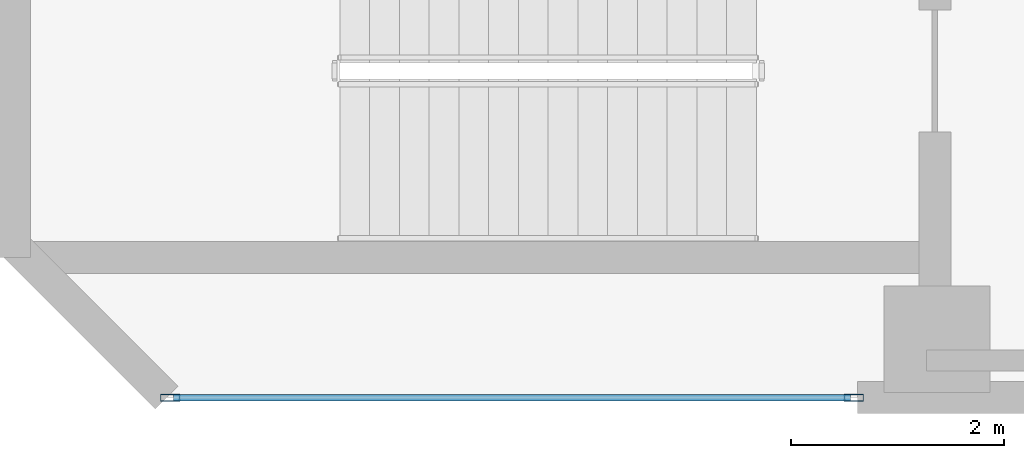
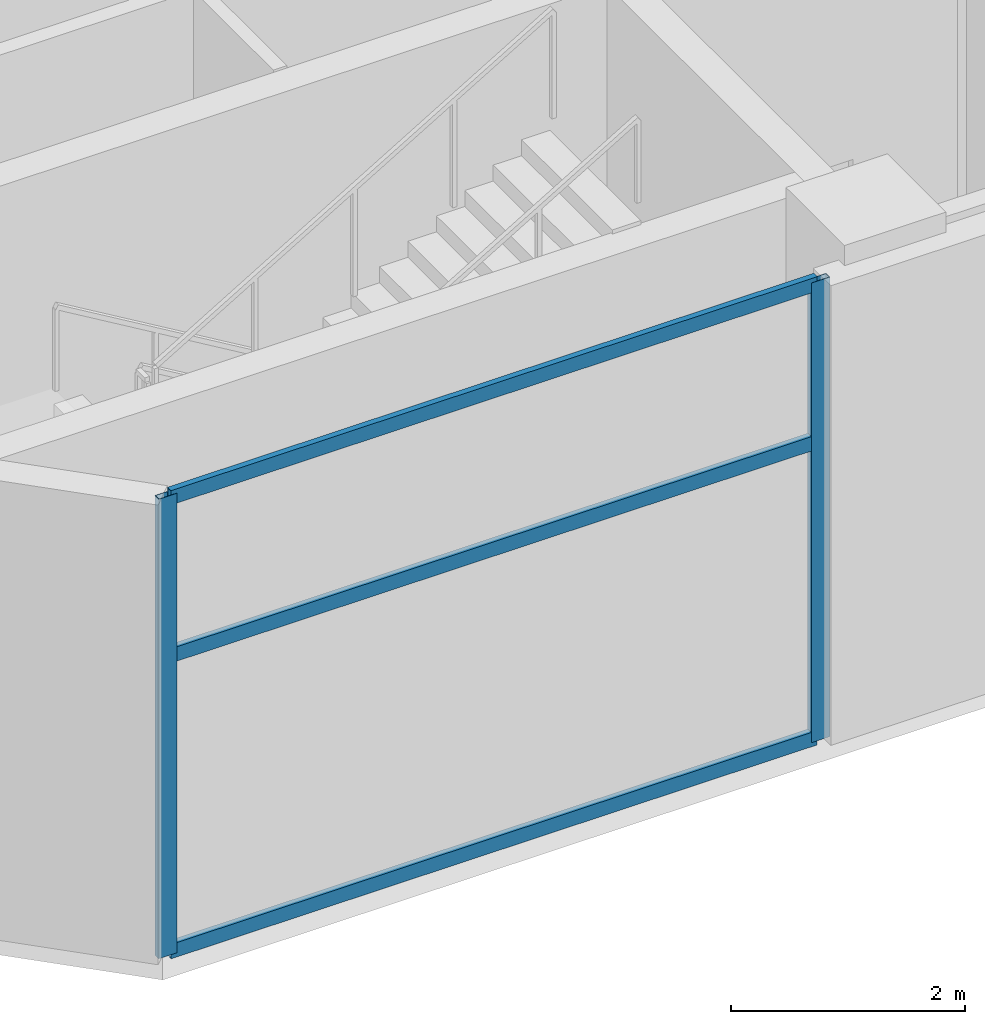
# One storey, part 2 of 16: 5 members, 1 element without a shape of its own.
"""IFC4 building model written with IfcOpenShell, lengths in metres."""

from ifc_helpers import new_model, si_unit, direction, frame, origin, origin_2d, place, context, subcontext, project, spatial, hollow_rectangle, extrude, material, layer, layer_set, material_profile, profile_set, type_object, element, aggregate, save


model = new_model("IFC4")

# Units and contexts
model_context = context("Model", 3, precision=1e-05, world=origin(), true_north=direction((0.0, 1.0)))
body_context = subcontext(model_context, "Body", "Model", "MODEL_VIEW")
ifc_project = project(units=[si_unit("LENGTHUNIT", "METRE"), si_unit("AREAUNIT", "SQUARE_METRE"), si_unit("VOLUMEUNIT", "CUBIC_METRE"), si_unit("PLANEANGLEUNIT", "RADIAN"), si_unit("MASSUNIT", "GRAM", prefix="KILO")], contexts=[model_context])

# Site, building, storey
site_placement = place(None, origin())
site = spatial("IfcSite", under=ifc_project, at=site_placement, CompositionType="ELEMENT")
building_placement = place(site_placement, origin())
building = spatial("IfcBuilding", under=site, at=building_placement, Name="Mawjaban Terraces University", CompositionType="ELEMENT")
storey_placement = place(building_placement, frame((0.0, 0.0, 170.800048828125)))
storey = spatial("IfcBuildingStorey", under=building, at=storey_placement, Name="L41", CompositionType="ELEMENT", Elevation=170.800048828125)

# Curtain wall, members
ifc_material_1 = material(Name="Anodised aluminium 6063-T6 and solar-control low-E glass", Category="aluminium")
ifc_layer = layer(ifc_material_1, 0.18994140625)
ifc_layer_set = layer_set([ifc_layer], Name="Anodised aluminium 6063-T6 and solar-control low-E glass")
curtain_wall_type = type_object("IfcCurtainWallType", Name="CWSystem_05_SkyLobby", PredefinedType="NOTDEFINED", material=ifc_layer_set)
curtain_wall_placement = place(storey_placement, origin())
curtain_wall = element("IfcCurtainWall", 1, at=curtain_wall_placement, inside=storey, type_object=curtain_wall_type, Name="L41 Curtain Wall CW-05 Run 1.1", PredefinedType="NOTDEFINED")
ifc_material_2 = material(Name="Anodised aluminium 6063-T6", Category="aluminium")
ifc_material_profile_1 = material_profile(ifc_material_2, hollow_rectangle(XDim=0.06494140625, YDim=0.179931640625, WallThickness=0.00390625, at=origin_2d()), Name="ALU180X65X4")
ifc_profile_set_1 = profile_set([ifc_material_profile_1], Name="Anodised aluminium 6063-T6")
member_type_1 = type_object("IfcMemberType", Name="Mullion_CW-05", PredefinedType="MULLION", material=ifc_profile_set_1)
member_1_placement = place(storey_placement, frame((24.532470703125, 0.0, 0.0), z_axis=(0.0, 0.0, 1.0), x_axis=(0.0, 1.0, 0.0)))
member_1 = element("IfcMember", 2, at=member_1_placement, type_object=member_type_1, Name="CW-05 mullion 1", PredefinedType="MULLION", context=body_context, shape_type="SweptSolid", body=[
    extrude(hollow_rectangle(XDim=0.06494140625, YDim=0.179931640625, WallThickness=0.00390625, at=origin_2d()), origin(), (0.0, 0.0, 1.0), 4.7900390625),
])
member_2_placement = place(storey_placement, frame((30.967529296875, 0.0, 0.0), z_axis=(0.0, 0.0, 1.0), x_axis=(0.0, 1.0, 0.0)))
member_2 = element("IfcMember", 3, at=member_2_placement, type_object=member_type_1, Name="CW-05 mullion 2", PredefinedType="MULLION", context=body_context, shape_type="SweptSolid", body=[
    extrude(hollow_rectangle(XDim=0.06494140625, YDim=0.179931640625, WallThickness=0.00390625, at=origin_2d()), origin(), (0.0, 0.0, 1.0), 4.7900390625),
])
ifc_material_profile_2 = material_profile(ifc_material_2, hollow_rectangle(XDim=0.06005859375, YDim=0.14990234375, WallThickness=0.00390625, at=origin_2d()), Name="ALU150X60X4")
ifc_profile_set_2 = profile_set([ifc_material_profile_2], Name="Anodised aluminium 6063-T6")
member_type_2 = type_object("IfcMemberType", Name="Transom_CW-05", PredefinedType="NOTDEFINED", material=ifc_profile_set_2)
member_3_placement = place(storey_placement, frame((24.56494140625, 0.0, 0.030029296875), z_axis=(1.0, 0.0, 0.0), x_axis=(0.0, 1.0, 0.0)))
member_3 = element("IfcMember", 4, at=member_3_placement, type_object=member_type_2, Name="CW-05 transom 1.1", ObjectType="TRANSOM", PredefinedType="USERDEFINED", context=body_context, shape_type="SweptSolid", body=[
    extrude(hollow_rectangle(XDim=0.06005859375, YDim=0.14990234375, WallThickness=0.00390625, at=origin_2d()), origin(), (0.0, 0.0, 1.0), 6.3701171875),
])
member_4_placement = place(storey_placement, frame((24.56494140625, 0.0, 3.113037109375), z_axis=(1.0, 0.0, 0.0), x_axis=(0.0, 1.0, 0.0)))
member_4 = element("IfcMember", 5, at=member_4_placement, type_object=member_type_2, Name="CW-05 transom 1.2", ObjectType="TRANSOM", PredefinedType="USERDEFINED", context=body_context, shape_type="SweptSolid", body=[
    extrude(hollow_rectangle(XDim=0.06005859375, YDim=0.14990234375, WallThickness=0.00390625, at=origin_2d()), origin(), (0.0, 0.0, 1.0), 6.3701171875),
])
member_5_placement = place(storey_placement, frame((24.56494140625, 0.0, 4.760009765625), z_axis=(1.0, 0.0, 0.0), x_axis=(0.0, 1.0, 0.0)))
member_5 = element("IfcMember", 6, at=member_5_placement, type_object=member_type_2, Name="CW-05 transom 1.3", ObjectType="TRANSOM", PredefinedType="USERDEFINED", context=body_context, shape_type="SweptSolid", body=[
    extrude(hollow_rectangle(XDim=0.06005859375, YDim=0.14990234375, WallThickness=0.00390625, at=origin_2d()), origin(), (0.0, 0.0, 1.0), 6.3701171875),
])
aggregate(curtain_wall, [member_1, member_2, member_3, member_4, member_5])

save(model, "model.ifc")
